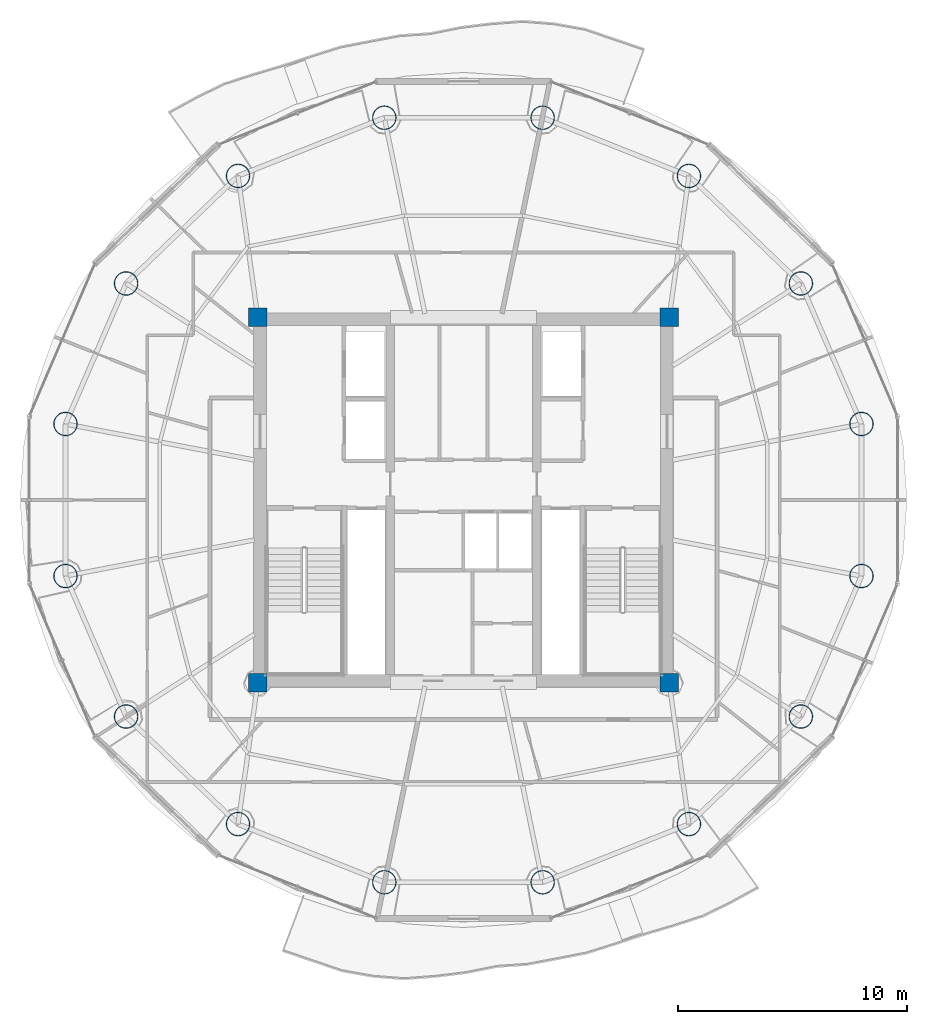
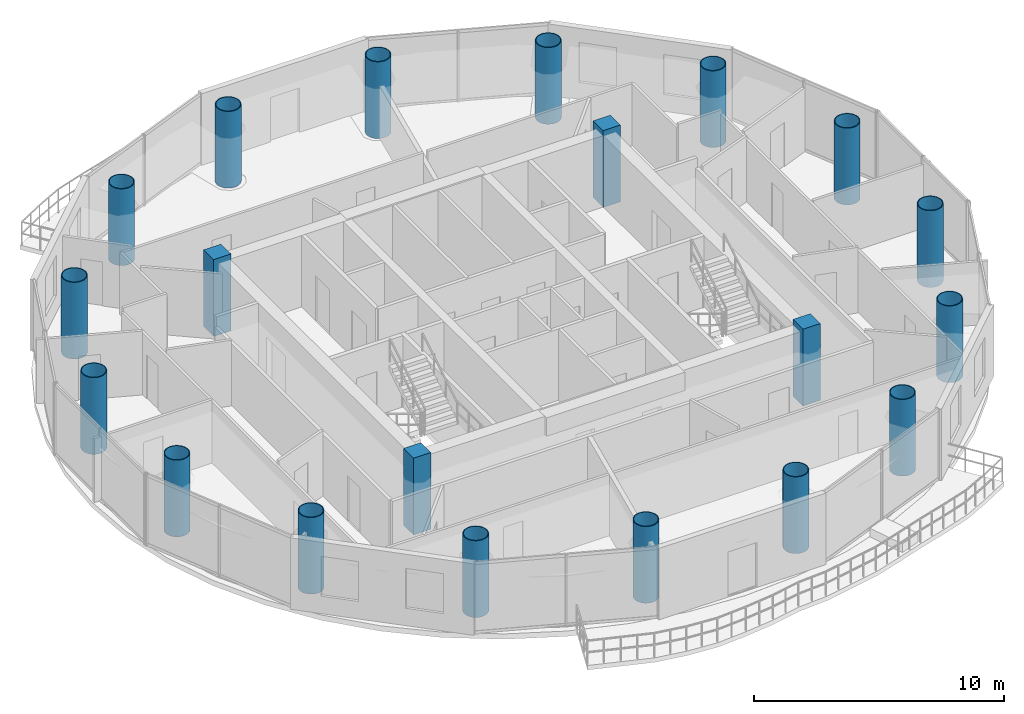
# One storey, part 1 of 22: 20 columns.
"""IFC4 building model written with IfcOpenShell, lengths in metres."""

import ifcopenshell
import ifcopenshell.guid

model = None  # the IFC model being written
_history = None  # IfcOwnerHistory: only IFC2X3 demands one
_inside = {}  # id of a spatial element -> (the spatial element, [elements in it])
_under = {}  # id of a project, library or spatial element -> (it, [spatial elements below it])
_declared = {}  # id of a project -> (the project, [libraries it declares])
_typed = {}  # id of a type object -> (the type object, [elements of that type])
_made_of = {}  # id of a material, layer set ... -> (it, [elements and type objects made of it])


def new_model(schema):
    """Start an empty IFC model of exactly this schema.

    Asked for "IFC4X3", IfcOpenShell would pick the latest addendum, in which some entities
    have other attributes; the version numbers below select the first issue.
    IFC2X3 requires an IfcOwnerHistory on every rooted entity: one is made here for all.
    """
    global model, _history
    if schema == "IFC4X3":
        model = ifcopenshell.file(schema_version=(4, 3, 0, 0))
    else:
        model = ifcopenshell.file(schema=schema)
    _inside.clear()
    _under.clear()
    _declared.clear()
    _typed.clear()
    _made_of.clear()
    _history = None
    if model.schema == "IFC2X3":
        org = make("IfcOrganization", Name="unknown")
        user = make(
            "IfcPersonAndOrganization",
            ThePerson=make("IfcPerson", FamilyName="unknown"),
            TheOrganization=org,
        )
        app = make(
            "IfcApplication",
            ApplicationDeveloper=org,
            Version="unknown",
            ApplicationFullName="unknown",
            ApplicationIdentifier="unknown",
        )
        _history = make(
            "IfcOwnerHistory",
            OwningUser=user,
            OwningApplication=app,
            ChangeAction="ADDED",
            CreationDate=0,
        )
    return model


def make(cls, **values):
    """One entity of the class cls with the attributes given. An attribute that is None is left unset."""
    return model.create_entity(
        cls, **{name: value for name, value in values.items() if value is not None}
    )


def rooted(cls, **values):
    """An entity with a GlobalId (a new one), such as an element, a storey or a relation."""
    return make(cls, GlobalId=ifcopenshell.guid.new(), OwnerHistory=_history, **values)


def si_unit(unit_type, name, prefix=None):
    """IfcSIUnit, for example si_unit("LENGTHUNIT", "METRE", prefix="MILLI")."""
    return make("IfcSIUnit", UnitType=unit_type, Prefix=prefix, Name=name)


def assignment(units):
    """IfcUnitAssignment: the units of a project."""
    return None if units is None else make("IfcUnitAssignment", Units=units)


def point(xyz):
    """IfcCartesianPoint."""
    return None if xyz is None else make("IfcCartesianPoint", Coordinates=xyz)


def direction(xyz):
    """IfcDirection."""
    return None if xyz is None else make("IfcDirection", DirectionRatios=xyz)


def frame(location, z_axis=None, x_axis=None):
    """IfcAxis2Placement3D, a coordinate frame: its origin and axes. An axis left out is left unset."""
    return make(
        "IfcAxis2Placement3D",
        Location=point(location),
        Axis=direction(z_axis),
        RefDirection=direction(x_axis),
    )


def frame_2d(location, x_axis=None):
    """IfcAxis2Placement2D, a coordinate frame in the plane: its origin and x axis."""
    return make(
        "IfcAxis2Placement2D", Location=point(location), RefDirection=direction(x_axis)
    )


def origin():
    """The frame at (0, 0, 0) with its axes left unset."""
    return frame((0.0, 0.0, 0.0))


def origin_2d():
    """The frame at (0, 0) in the plane with its x axis left unset."""
    return frame_2d((0.0, 0.0))


def place(relative_to, where):
    """IfcLocalPlacement: puts the frame where relative to a parent placement (None: the world)."""
    return make(
        "IfcLocalPlacement", PlacementRelTo=relative_to, RelativePlacement=where
    )


def context(
    kind, dimensions, precision=None, world=None, true_north=None, identifier=None
):
    """IfcGeometricRepresentationContext, for example the 3D "Model" context."""
    return make(
        "IfcGeometricRepresentationContext",
        ContextIdentifier=identifier,
        ContextType=kind,
        CoordinateSpaceDimension=dimensions,
        Precision=precision,
        WorldCoordinateSystem=world,
        TrueNorth=true_north,
    )


def subcontext(parent, identifier, kind, view, scale=None):
    """IfcGeometricRepresentationSubContext, for example "Body" below "Model"."""
    return make(
        "IfcGeometricRepresentationSubContext",
        ContextIdentifier=identifier,
        ContextType=kind,
        ParentContext=parent,
        TargetScale=scale,
        TargetView=view,
    )


def project(units=None, contexts=None):
    """IfcProject with its units and contexts."""
    return rooted(
        "IfcProject",
        Name="project",
        RepresentationContexts=contexts,
        UnitsInContext=assignment(units),
    )


def spatial(cls, under=None, at=None, **own):
    """A site, building, storey or space (cls), placed at a placement, below another one or the project."""
    s = rooted(cls, ObjectPlacement=at, **own)
    if under is not None:
        _under.setdefault(under.id(), (under, []))[1].append(s)
    return s


def profile(cls, at=None, kind="AREA", **sizes):
    """A parametric profile (cls). Its sizes go by their IFC names, for example OverallWidth=200.0."""
    return make(cls, ProfileType=kind, Position=at, **sizes)


def rectangle(**sizes):
    """IfcRectangleProfileDef."""
    return profile("IfcRectangleProfileDef", **sizes)


def hollow_circle(**sizes):
    """IfcCircleHollowProfileDef."""
    return profile("IfcCircleHollowProfileDef", **sizes)


def extrude(swept, where, along, depth):
    """IfcExtrudedAreaSolid: the profile swept, set in the frame where, extruded along a direction by depth."""
    return make(
        "IfcExtrudedAreaSolid",
        SweptArea=swept,
        Position=where,
        ExtrudedDirection=direction(along),
        Depth=depth,
    )


def shape(context_of_items, identifier, shape_type, items):
    """IfcShapeRepresentation: the items that make up one representation, for example the "Body"."""
    return make(
        "IfcShapeRepresentation",
        ContextOfItems=context_of_items,
        RepresentationIdentifier=identifier,
        RepresentationType=shape_type,
        Items=items,
    )


def material(Name=None, Category=None):
    """IfcMaterial."""
    return make("IfcMaterial", Name=Name, Category=Category)


def material_profile(
    of_material, cross_section, Name=None, Category=None, Priority=None
):
    """IfcMaterialProfile: a cross section and its material."""
    return make(
        "IfcMaterialProfile",
        Name=Name,
        Material=of_material,
        Profile=cross_section,
        Priority=Priority,
        Category=Category,
    )


def profile_set(profiles, Name=None, composite=None):
    """IfcMaterialProfileSet."""
    return make(
        "IfcMaterialProfileSet",
        Name=Name,
        MaterialProfiles=profiles,
        CompositeProfile=composite,
    )


def made_of(thing, what):
    """Note that an element or type object is made of a material, layer set ...; save() writes the relation."""
    if what is not None:
        _made_of.setdefault(what.id(), (what, []))[1].append(thing)
    return thing


def type_object(cls, material=None, **own):
    """A type object (cls), such as IfcWallType, which elements share."""
    return made_of(rooted(cls, **own), material)


def element(
    cls,
    number,
    at=None,
    inside=None,
    cuts=None,
    type_object=None,
    material=None,
    context=None,
    identifier="Body",
    shape_type=None,
    held_by="IfcProductDefinitionShape",
    body=None,
    shapes=None,
    **own,
):
    """One element of the class cls, such as IfcWall. Its Tag is "e" and its number.

    at: its placement. inside: the storey or other place that contains it. cuts: it is an
    opening in that element (IfcRelVoidsElement). A single representation is given by context,
    identifier, shape_type and body (its items); several are given by shapes. held_by: the class
    of the entity that holds the representations. save() writes the other relations.
    """
    e = rooted(cls, Tag="e%d" % number, ObjectPlacement=at, **own)
    if body is not None:
        shapes = [shape(context, identifier, shape_type, body)]
    if shapes is not None:
        e.Representation = make(held_by, Representations=shapes)
    if inside is not None:
        _inside.setdefault(inside.id(), (inside, []))[1].append(e)
    if cuts is not None:
        rooted(
            "IfcRelVoidsElement", RelatingBuildingElement=cuts, RelatedOpeningElement=e
        )
    if type_object is not None:
        _typed.setdefault(type_object.id(), (type_object, []))[1].append(e)
    return made_of(e, material)


def aggregate(whole, parts):
    """IfcRelAggregates: a whole, such as a stair, and the parts it consists of."""
    return rooted("IfcRelAggregates", RelatingObject=whole, RelatedObjects=parts)


def save(model, path):
    """Write the relations noted so far, then the file.

    IfcRelAggregates (storeys below a building ...), IfcRelContainedInSpatialStructure (elements
    in a storey), IfcRelDefinesByType, IfcRelAssociatesMaterial and IfcRelDeclares: one each for
    every whole, place, type object, material and project.
    """
    for whole, parts in _under.values():
        aggregate(whole, parts)
    for where, things in _inside.values():
        rooted(
            "IfcRelContainedInSpatialStructure",
            RelatedElements=things,
            RelatingStructure=where,
        )
    for kind, things in _typed.values():
        rooted("IfcRelDefinesByType", RelatedObjects=things, RelatingType=kind)
    for what, things in _made_of.values():
        rooted("IfcRelAssociatesMaterial", RelatedObjects=things, RelatingMaterial=what)
    for by, libraries in _declared.values():
        rooted("IfcRelDeclares", RelatingContext=by, RelatedDefinitions=libraries)
    model.write(path)


model = new_model("IFC4")

# Units and contexts
model_context = context("Model", 3, precision=1e-05, world=origin(), true_north=direction((-0.2419218956, 0.970295726276)))
body_context = subcontext(model_context, "Body", "Model", "MODEL_VIEW")
ifc_project = project(units=[si_unit("LENGTHUNIT", "METRE"), si_unit("AREAUNIT", "SQUARE_METRE"), si_unit("VOLUMEUNIT", "CUBIC_METRE"), si_unit("PLANEANGLEUNIT", "RADIAN"), si_unit("MASSUNIT", "GRAM", prefix="KILO")], contexts=[model_context])

# Site, building, storey
site_placement = place(None, origin())
site = spatial("IfcSite", under=ifc_project, at=site_placement, CompositionType="ELEMENT")
building_placement = place(site_placement, origin())
building = spatial("IfcBuilding", under=site, at=building_placement, Name="Cobrevalo Terracotta Tower", CompositionType="ELEMENT")
storey_placement = place(building_placement, frame((0.0, 0.0, 289.449951171875)))
storey = spatial("IfcBuildingStorey", under=building, at=storey_placement, Name="L76", CompositionType="ELEMENT", Elevation=289.449951171875)

# Columns
ifc_material_1 = material(Name="Steel S355", Category="steel")
ifc_material_profile_1 = material_profile(ifc_material_1, hollow_circle(Radius=0.52490234375, WallThickness=0.034912109375, at=origin_2d()), Name="CHS 1050x35")
ifc_profile_set_1 = profile_set([ifc_material_profile_1], Name="Steel S355")
column_type_1 = type_object("IfcColumnType", Name="Structural Column CHS 1050x35 (Steel S355)", PredefinedType="COLUMN", material=ifc_profile_set_1)
for number, where, z_axis, x_axis, name in (
    (1, (55.408935546875, 30.126220703125, 0.0), (0.0, 0.0, 1.0), (1.0, 0.0, 0.0), "L76 composite megacolumn MC01"),
    (2, (52.758544921875, 36.2724609375, 0.0), (0.0, 0.0, 1.0), (1.0, 0.0, 0.0), "L76 composite megacolumn MC02"),
    (3, (47.861328125, 40.9765625, 0.0), (0.0, 0.0, 1.0), (1.0, 0.0, 0.0), "L76 composite megacolumn MC03"),
    (4, (41.462890625, 43.5224609375, 0.0), (0.0, 0.0, 1.0), (1.0, 0.0, 0.0), "L76 composite megacolumn MC04"),
    (5, (34.537109375, 43.5224609375, 0.0), (0.0, 0.0, 1.0), (1.0, 0.0, 0.0), "L76 composite megacolumn MC05"),
    (6, (28.138671875, 40.9765625, 0.0), (0.0, 0.0, 1.0), (1.0, 0.0, 0.0), "L76 composite megacolumn MC06"),
    (7, (23.241455078125, 36.2724609375, 0.0), (0.0, 0.0, 1.0), (1.0, 0.0, 0.0), "L76 composite megacolumn MC07"),
    (8, (20.591064453125, 30.126220703125, 0.0), (0.0, 0.0, 1.0), (1.0, 0.0, 0.0), "L76 composite megacolumn MC08"),
    (9, (20.591064453125, 23.4736328125, 0.0), (0.0, 0.0, 1.0), (1.0, 0.0, 0.0), "L76 composite megacolumn MC09"),
    (10, (23.241455078125, 17.32763671875, 0.0), (0.0, 0.0, 1.0), (1.0, 0.0, 0.0), "L76 composite megacolumn MC10"),
    (11, (28.138671875, 12.62353515625, 0.0), (0.0, 0.0, 1.0), (1.0, 0.0, 0.0), "L76 composite megacolumn MC11"),
    (12, (34.537109375, 10.07763671875, 0.0), (0.0, 0.0, 1.0), (1.0, 0.0, 0.0), "L76 composite megacolumn MC12"),
    (13, (41.462890625, 10.07763671875, 0.0), (0.0, 0.0, 1.0), (1.0, 0.0, 0.0), "L76 composite megacolumn MC13"),
    (14, (47.861328125, 12.62353515625, 0.0), (0.0, 0.0, 1.0), (1.0, 0.0, 0.0), "L76 composite megacolumn MC14"),
    (15, (52.758544921875, 17.32763671875, 0.0), (0.0, 0.0, 1.0), (1.0, 0.0, 0.0), "L76 composite megacolumn MC15"),
    (16, (55.408935546875, 23.4736328125, 0.0), (0.0, 0.0, 1.0), (1.0, 0.0, 0.0), "L76 composite megacolumn MC16"),
):
    element("IfcColumn", number, at=place(storey_placement, frame(where, z_axis=z_axis, x_axis=x_axis)), inside=storey, type_object=column_type_1, Name=name, PredefinedType="COLUMN", context=body_context, shape_type="SweptSolid", body=[
        extrude(hollow_circle(Radius=0.52490234375, WallThickness=0.034912109375, at=origin_2d()), origin(), (0.0, 0.0, 1.0), 3.75),
    ])
ifc_material_2 = material(Name="Concrete C50", Category="concrete")
ifc_material_profile_2 = material_profile(ifc_material_2, rectangle(XDim=0.800048828125, YDim=0.800048828125, at=origin_2d()), Name="RC COL 800x800")
ifc_profile_set_2 = profile_set([ifc_material_profile_2], Name="Concrete C50")
column_type_2 = type_object("IfcColumnType", Name="Structural Column RC COL 800x800 (Concrete C50)", PredefinedType="COLUMN", material=ifc_profile_set_2)
for number, where, z_axis, x_axis, name in (
    (17, (29.0, 18.800048828125, 0.0), (0.0, 0.0, 1.0), (1.0, 0.0, 0.0), "L76 core corner column CC1"),
    (18, (47.0, 18.800048828125, 0.0), (0.0, 0.0, 1.0), (1.0, 0.0, 0.0), "L76 core corner column CC2"),
    (19, (47.0, 34.800048828125, 0.0), (0.0, 0.0, 1.0), (1.0, 0.0, 0.0), "L76 core corner column CC3"),
    (20, (29.0, 34.800048828125, 0.0), (0.0, 0.0, 1.0), (1.0, 0.0, 0.0), "L76 core corner column CC4"),
):
    element("IfcColumn", number, at=place(storey_placement, frame(where, z_axis=z_axis, x_axis=x_axis)), inside=storey, type_object=column_type_2, Name=name, PredefinedType="COLUMN", context=body_context, shape_type="SweptSolid", body=[
        extrude(rectangle(XDim=0.800048828125, YDim=0.800048828125, at=origin_2d()), origin(), (0.0, 0.0, 1.0), 3.75),
    ])

save(model, "model.ifc")
